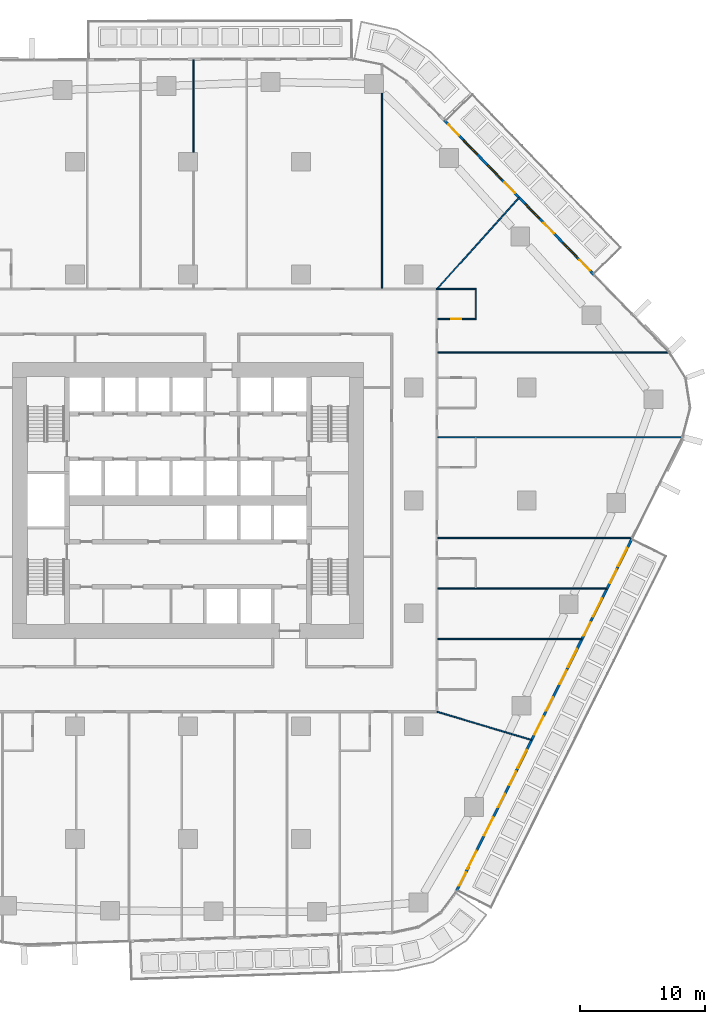
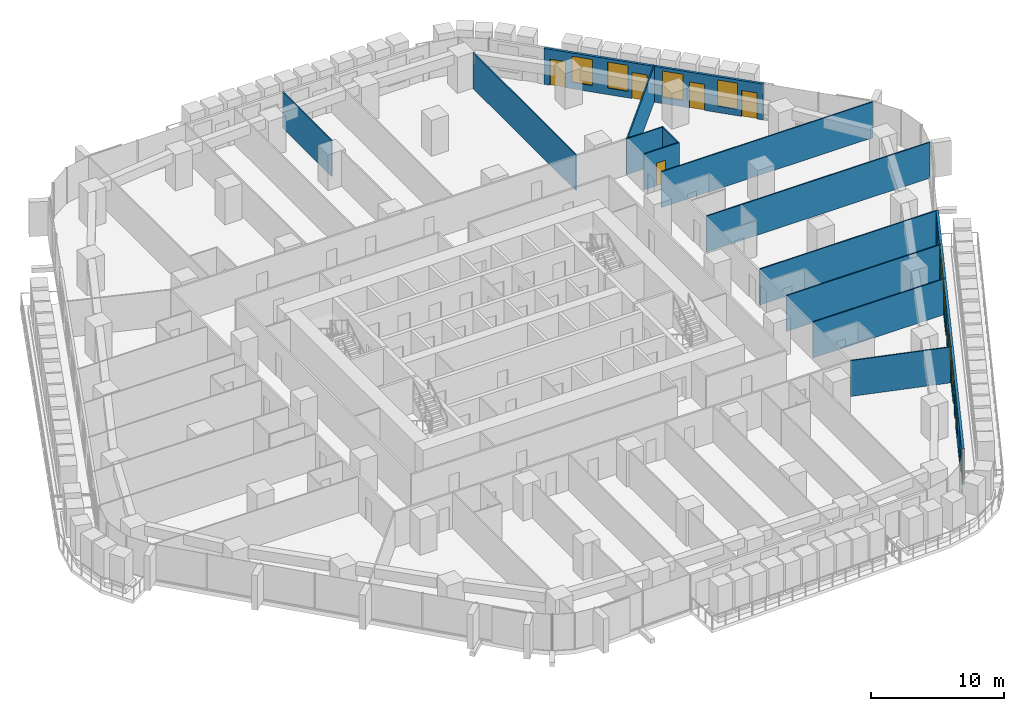
# One storey, part 18 of 27: 14 walls, 12 doors, 11 windows, 23 openings.
"""IFC4 building model written with IfcOpenShell, lengths in metres."""

from ifc_helpers import new_model, si_unit, direction, frame, frame_2d, origin, place, context, subcontext, project, spatial, rectangle, extrude, material, layer, layer_set, type_object, element, fill, save


model = new_model("IFC4")

# Units and contexts
model_context = context("Model", 3, precision=1e-05, world=origin(), true_north=direction((0.0, 1.0)))
body_context = subcontext(model_context, "Body", "Model", "MODEL_VIEW")
ifc_project = project(units=[si_unit("LENGTHUNIT", "METRE"), si_unit("AREAUNIT", "SQUARE_METRE"), si_unit("VOLUMEUNIT", "CUBIC_METRE"), si_unit("PLANEANGLEUNIT", "RADIAN"), si_unit("MASSUNIT", "GRAM", prefix="KILO")], contexts=[model_context])

# Site, building, storey
site_placement = place(None, origin())
site = spatial("IfcSite", under=ifc_project, at=site_placement, CompositionType="ELEMENT")
building_placement = place(site_placement, origin())
building = spatial("IfcBuilding", under=site, at=building_placement, Name="Dongbaek Canopy Tower", CompositionType="ELEMENT")
storey_placement = place(building_placement, frame((0.0, 0.0, 58.800048828125)))
storey = spatial("IfcBuildingStorey", under=building, at=storey_placement, Name="L10", CompositionType="ELEMENT", Elevation=58.800048828125)

# Walls
ifc_material_1 = material(Name="Gypsum board partition, steel stud, 2 x 12.5 mm board", Category="steel")
ifc_layer_1 = layer(ifc_material_1, 0.10009765625)
ifc_layer_set_1 = layer_set([ifc_layer_1], Name="Partition 100 gypsum board")
wall_type_1 = type_object("IfcWallType", Name="Partition 100 gypsum board", PredefinedType="PARTITIONING", material=ifc_layer_set_1)
wall_1_placement = place(storey_placement, frame((19.925048828125, -11.054931640625, 0.0), z_axis=(0.0, 0.0, 1.0), x_axis=(1.0, 0.0, 0.0)))
element("IfcWall", 1, at=wall_1_placement, inside=storey, type_object=wall_type_1, Name="Partition", PredefinedType="PARTITIONING", context=body_context, shape_type="SweptSolid", body=[
    extrude(rectangle(XDim=11.460205078125, YDim=0.10009765625, at=frame_2d((5.72998046875, 0.0))), origin(), (0.0, 0.0, 1.0), 3.300048828125),
])
wall_2_placement = place(storey_placement, frame((19.925048828125, -7.030029296875, 0.0), z_axis=(0.0, 0.0, 1.0), x_axis=(1.0, 0.0, 0.0)))
element("IfcWall", 2, at=wall_2_placement, inside=storey, type_object=wall_type_1, Name="Partition", PredefinedType="PARTITIONING", context=body_context, shape_type="SweptSolid", body=[
    extrude(rectangle(XDim=13.463623046875, YDim=0.10009765625, at=frame_2d((6.73193359375, 0.0))), origin(), (0.0, 0.0, 1.0), 3.300048828125),
])
wall_3_placement = place(storey_placement, frame((19.925048828125, -3.006103515625, 0.0), z_axis=(0.0, 0.0, 1.0), x_axis=(1.0, 0.0, 0.0)))
element("IfcWall", 3, at=wall_3_placement, inside=storey, type_object=wall_type_1, Name="Partition", PredefinedType="PARTITIONING", context=body_context, shape_type="SweptSolid", body=[
    extrude(rectangle(XDim=15.467041015625, YDim=0.10009765625, at=frame_2d((7.7333984375, 0.0))), origin(), (0.0, 0.0, 1.0), 3.300048828125),
])
wall_4_placement = place(storey_placement, frame((19.925048828125, 5.034912109375, 0.0), z_axis=(0.0, 0.0, 1.0), x_axis=(1.0, 0.0, 0.0)))
element("IfcWall", 4, at=wall_4_placement, inside=storey, type_object=wall_type_1, Name="Partition", PredefinedType="PARTITIONING", context=body_context, shape_type="SweptSolid", body=[
    extrude(rectangle(XDim=19.47021484375, YDim=0.10009765625, at=frame_2d((9.735107421875, 0.0))), origin(), (0.0, 0.0, 1.0), 3.300048828125),
])
wall_5_placement = place(storey_placement, frame((19.925048828125, 11.787109375, 0.0), z_axis=(0.0, 0.0, 1.0), x_axis=(1.0, 0.0, 0.0)))
element("IfcWall", 5, at=wall_5_placement, inside=storey, type_object=wall_type_1, Name="Partition", PredefinedType="PARTITIONING", context=body_context, shape_type="SweptSolid", body=[
    extrude(rectangle(XDim=18.416748046875, YDim=0.10009765625, at=frame_2d((9.20849609375, 0.0))), origin(), (0.0, 0.0, 1.0), 3.300048828125),
])

# Wall, opening, door
wall_6_placement = place(storey_placement, frame((19.925048828125, 14.449951171875, 0.0), z_axis=(0.0, 0.0, 1.0), x_axis=(1.0, 0.0, 0.0)))
wall_6 = element("IfcWall", 6, at=wall_6_placement, inside=storey, type_object=wall_type_1, Name="Partition", PredefinedType="PARTITIONING", context=body_context, shape_type="SweptSolid", body=[
    extrude(rectangle(XDim=3.074951171875, YDim=0.10009765625, at=frame_2d((1.53759765625, 0.0))), origin(), (0.0, 0.0, 1.0), 3.300048828125),
])
opening_1_placement = place(wall_6_placement, frame((1.074951171875, 0.0, 0.0)))
opening_1 = element("IfcOpeningElement", 7, at=opening_1_placement, cuts=wall_6, Name="Opening L10-D023", PredefinedType="OPENING", context=body_context, shape_type="SweptSolid", body=[
    extrude(rectangle(XDim=0.800048828125, YDim=2.10009765625, at=frame_2d((0.39990234375, 1.050048828125))), frame((0.0, 0.06005859375, 0.0), z_axis=(0.0, -1.0, 0.0), x_axis=(1.0, 0.0, 0.0)), (0.0, 0.0, 1.0), 0.1201171875),
])
ifc_material_2 = material(Name="Timber veneered door leaf", Category="wood")
door_type_1 = type_object("IfcDoorType", Name="En-suite door 800 x 2100", OperationType="SINGLE_SWING_LEFT", PredefinedType="DOOR", material=ifc_material_2)
door_1_placement = place(opening_1_placement, origin())
door_1 = element("IfcDoor", 8, at=door_1_placement, inside=storey, type_object=door_type_1, Name="Door L10-D023", OperationType="SINGLE_SWING_RIGHT", OverallHeight=2.10009765625, OverallWidth=0.800048828125, PredefinedType="DOOR", context=body_context, shape_type="SweptSolid", body=[
    extrude(rectangle(XDim=0.800048828125, YDim=2.10009765625, at=frame_2d((0.39990234375, 1.050048828125))), frame((0.0, 0.02490234375, 0.0), z_axis=(0.0, -1.0, 0.0), x_axis=(1.0, 0.0, 0.0)), (0.0, 0.0, 1.0), 0.050048828125),
])
fill(opening_1, door_1)

# Walls
wall_7_placement = place(storey_placement, frame((19.77490234375, 16.85009765625, 0.0), z_axis=(0.0, 0.0, 1.0), x_axis=(1.0, 0.0, 0.0)))
element("IfcWall", 9, at=wall_7_placement, inside=storey, type_object=wall_type_1, Name="Partition", PredefinedType="PARTITIONING", context=body_context, shape_type="SweptSolid", body=[
    extrude(rectangle(XDim=3.22509765625, YDim=0.10009765625, at=frame_2d((1.612548828125, 0.0))), origin(), (0.0, 0.0, 1.0), 3.300048828125),
])
wall_8_placement = place(storey_placement, frame((19.849853515625, 16.85009765625, 0.0), z_axis=(0.0, 0.0, 1.0), x_axis=(0.668734291705, 0.743501477536, 0.0)))
element("IfcWall", 10, at=wall_8_placement, inside=storey, type_object=wall_type_1, Name="Partition", PredefinedType="PARTITIONING", context=body_context, shape_type="SweptSolid", body=[
    extrude(rectangle(XDim=9.7763671875, YDim=0.10009765625, at=frame_2d((4.88818359375, 0.0))), origin(), (0.0, 0.0, 1.0), 3.300048828125),
])
wall_9_placement = place(storey_placement, frame((22.949951171875, 14.5, 0.0), z_axis=(0.0, 0.0, 1.0), x_axis=(0.0, 1.0, 0.0)))
element("IfcWall", 11, at=wall_9_placement, inside=storey, type_object=wall_type_1, Name="Partition", PredefinedType="PARTITIONING", context=body_context, shape_type="SweptSolid", body=[
    extrude(rectangle(XDim=2.300048828125, YDim=0.10009765625, at=frame_2d((1.14990234375, 0.0))), origin(), (0.0, 0.0, 1.0), 3.300048828125),
])
wall_10_placement = place(storey_placement, frame((15.47509765625, 16.925048828125, 0.0), z_axis=(0.0, 0.0, 1.0), x_axis=(0.0, 1.0, 0.0)))
element("IfcWall", 12, at=wall_10_placement, inside=storey, type_object=wall_type_1, Name="Partition", PredefinedType="PARTITIONING", context=body_context, shape_type="SweptSolid", body=[
    extrude(rectangle(XDim=15.51904296875, YDim=0.10009765625, at=frame_2d((7.759521484375, 0.0))), origin(), (0.0, 0.0, 1.0), 3.300048828125),
])
wall_11_placement = place(storey_placement, frame((0.450927734375, 27.75, 0.0), z_axis=(0.0, 0.0, 1.0), x_axis=(0.0, 1.0, 0.0)))
element("IfcWall", 13, at=wall_11_placement, inside=storey, type_object=wall_type_1, Name="Partition", PredefinedType="PARTITIONING", context=body_context, shape_type="SweptSolid", body=[
    extrude(rectangle(XDim=7.388671875, YDim=0.10009765625, at=frame_2d((3.6943359375, 0.0))), origin(), (0.0, 0.0, 1.0), 3.300048828125),
])
wall_12_placement = place(storey_placement, frame((19.849853515625, -16.850341796875, 0.0), z_axis=(0.0, 0.0, 1.0), x_axis=(0.958273131703, -0.285854167464, 0.0)))
element("IfcWall", 14, at=wall_12_placement, inside=storey, type_object=wall_type_1, Name="Partition", PredefinedType="PARTITIONING", context=body_context, shape_type="SweptSolid", body=[
    extrude(rectangle(XDim=7.859130859375, YDim=0.10009765625, at=frame_2d((3.9296875, 0.0))), origin(), (0.0, 0.0, 1.0), 3.300048828125),
])

# Wall, openings, doors, windows
ifc_material_3 = material(Name="Aluminium window wall", Category="aluminium")
ifc_layer_2 = layer(ifc_material_3, 0.199951171875)
ifc_layer_set_2 = layer_set([ifc_layer_2], Name="Window wall 200")
wall_type_2 = type_object("IfcWallType", Name="Window wall 200", PredefinedType="SOLIDWALL", material=ifc_layer_set_2)
wall_13_placement = place(storey_placement, frame((32.388916015625, 17.95703125, 0.0), z_axis=(0.0, 0.0, 1.0), x_axis=(-0.696038792441, 0.718004177855, 0.0)))
wall_13 = element("IfcWall", 15, at=wall_13_placement, inside=storey, type_object=wall_type_2, Name="Window wall L10 1", PredefinedType="SOLIDWALL", context=body_context, shape_type="SweptSolid", body=[
    extrude(rectangle(XDim=17.205810546875, YDim=0.199951171875, at=frame_2d((8.60302734375, 0.0))), origin(), (0.0, 0.0, 1.0), 3.300048828125),
])
opening_2_placement = place(wall_13_placement, frame((2.0, 0.0, 0.60009765625)))
opening_2 = element("IfcOpeningElement", 16, at=opening_2_placement, cuts=wall_13, Name="Opening W1", PredefinedType="OPENING", context=body_context, shape_type="SweptSolid", body=[
    extrude(rectangle(XDim=1.60009765625, YDim=2.39990234375, at=frame_2d((0.800048828125, 1.199951171875))), frame((0.0, 0.10986328125, 0.0), z_axis=(0.0, -1.0, 0.0), x_axis=(1.0, 0.0, 0.0)), (0.0, 0.0, 1.0), 0.219970703125),
])
opening_3_placement = place(wall_13_placement, frame((0.5, 0.0, 0.0)))
opening_3 = element("IfcOpeningElement", 17, at=opening_3_placement, cuts=wall_13, Name="Opening L10-B01", PredefinedType="OPENING", context=body_context, shape_type="SweptSolid", body=[
    extrude(rectangle(XDim=1.199951171875, YDim=2.39990234375, at=frame_2d((0.60009765625, 1.199951171875))), frame((0.0, 0.10986328125, 0.0), z_axis=(0.0, -1.0, 0.0), x_axis=(1.0, 0.0, 0.0)), (0.0, 0.0, 1.0), 0.219970703125),
])
opening_4_placement = place(wall_13_placement, frame((6.301513671875, 0.0, 0.60009765625)))
opening_4 = element("IfcOpeningElement", 18, at=opening_4_placement, cuts=wall_13, Name="Opening W1", PredefinedType="OPENING", context=body_context, shape_type="SweptSolid", body=[
    extrude(rectangle(XDim=1.60009765625, YDim=2.39990234375, at=frame_2d((0.800048828125, 1.199951171875))), frame((0.0, 0.10986328125, 0.0), z_axis=(0.0, -1.0, 0.0), x_axis=(1.0, 0.0, 0.0)), (0.0, 0.0, 1.0), 0.219970703125),
])
opening_5_placement = place(wall_13_placement, frame((4.601318359375, 0.0, 0.0)))
opening_5 = element("IfcOpeningElement", 19, at=opening_5_placement, cuts=wall_13, Name="Opening L10-B02", PredefinedType="OPENING", context=body_context, shape_type="SweptSolid", body=[
    extrude(rectangle(XDim=1.199951171875, YDim=2.39990234375, at=frame_2d((0.60009765625, 1.199951171875))), frame((0.0, 0.10986328125, 0.0), z_axis=(0.0, -1.0, 0.0), x_axis=(1.0, 0.0, 0.0)), (0.0, 0.0, 1.0), 0.219970703125),
])
opening_6_placement = place(wall_13_placement, frame((10.602783203125, 0.0, 0.60009765625)))
opening_6 = element("IfcOpeningElement", 20, at=opening_6_placement, cuts=wall_13, Name="Opening W1", PredefinedType="OPENING", context=body_context, shape_type="SweptSolid", body=[
    extrude(rectangle(XDim=1.60009765625, YDim=2.39990234375, at=frame_2d((0.800048828125, 1.199951171875))), frame((0.0, 0.10986328125, 0.0), z_axis=(0.0, -1.0, 0.0), x_axis=(1.0, 0.0, 0.0)), (0.0, 0.0, 1.0), 0.219970703125),
])
opening_7_placement = place(wall_13_placement, frame((9.102783203125, 0.0, 0.0)))
opening_7 = element("IfcOpeningElement", 21, at=opening_7_placement, cuts=wall_13, Name="Opening L10-B03", PredefinedType="OPENING", context=body_context, shape_type="SweptSolid", body=[
    extrude(rectangle(XDim=1.199951171875, YDim=2.39990234375, at=frame_2d((0.60009765625, 1.199951171875))), frame((0.0, 0.10986328125, 0.0), z_axis=(0.0, -1.0, 0.0), x_axis=(1.0, 0.0, 0.0)), (0.0, 0.0, 1.0), 0.219970703125),
])
opening_8_placement = place(wall_13_placement, frame((13.404296875, 0.0, 0.60009765625)))
opening_8 = element("IfcOpeningElement", 22, at=opening_8_placement, cuts=wall_13, Name="Opening W1", PredefinedType="OPENING", context=body_context, shape_type="SweptSolid", body=[
    extrude(rectangle(XDim=1.60009765625, YDim=2.39990234375, at=frame_2d((0.800048828125, 1.199951171875))), frame((0.0, 0.10986328125, 0.0), z_axis=(0.0, -1.0, 0.0), x_axis=(1.0, 0.0, 0.0)), (0.0, 0.0, 1.0), 0.219970703125),
])
opening_9_placement = place(wall_13_placement, frame((15.50439453125, 0.0, 0.0)))
opening_9 = element("IfcOpeningElement", 23, at=opening_9_placement, cuts=wall_13, Name="Opening L10-B04", PredefinedType="OPENING", context=body_context, shape_type="SweptSolid", body=[
    extrude(rectangle(XDim=1.199951171875, YDim=2.39990234375, at=frame_2d((0.60009765625, 1.199951171875))), frame((0.0, 0.10986328125, 0.0), z_axis=(0.0, -1.0, 0.0), x_axis=(1.0, 0.0, 0.0)), (0.0, 0.0, 1.0), 0.219970703125),
])
ifc_material_4 = material(Name="Clear glazing in aluminium frame", Category="aluminium")
door_type_2 = type_object("IfcDoorType", Name="Balcony door BD1 1200 x 2400", OperationType="SLIDING_TO_LEFT", PredefinedType="DOOR", material=ifc_material_4)
door_2_placement = place(opening_3_placement, origin())
door_2 = element("IfcDoor", 24, at=door_2_placement, inside=storey, type_object=door_type_2, Name="Balcony door L10-B01", OperationType="SLIDING_TO_LEFT", OverallHeight=2.39990234375, OverallWidth=1.199951171875, PredefinedType="DOOR", context=body_context, shape_type="SweptSolid", body=[
    extrude(rectangle(XDim=1.199951171875, YDim=2.39990234375, at=frame_2d((0.60009765625, 1.199951171875))), frame((0.0, 0.02490234375, 0.0), z_axis=(0.0, -1.0, 0.0), x_axis=(1.0, 0.0, 0.0)), (0.0, 0.0, 1.0), 0.050048828125),
])
fill(opening_3, door_2)
door_3_placement = place(opening_5_placement, origin())
door_3 = element("IfcDoor", 25, at=door_3_placement, inside=storey, type_object=door_type_2, Name="Balcony door L10-B02", OperationType="SLIDING_TO_LEFT", OverallHeight=2.39990234375, OverallWidth=1.199951171875, PredefinedType="DOOR", context=body_context, shape_type="SweptSolid", body=[
    extrude(rectangle(XDim=1.199951171875, YDim=2.39990234375, at=frame_2d((0.60009765625, 1.199951171875))), frame((0.0, 0.02490234375, 0.0), z_axis=(0.0, -1.0, 0.0), x_axis=(1.0, 0.0, 0.0)), (0.0, 0.0, 1.0), 0.050048828125),
])
fill(opening_5, door_3)
door_4_placement = place(opening_7_placement, origin())
door_4 = element("IfcDoor", 26, at=door_4_placement, inside=storey, type_object=door_type_2, Name="Balcony door L10-B03", OperationType="SLIDING_TO_LEFT", OverallHeight=2.39990234375, OverallWidth=1.199951171875, PredefinedType="DOOR", context=body_context, shape_type="SweptSolid", body=[
    extrude(rectangle(XDim=1.199951171875, YDim=2.39990234375, at=frame_2d((0.60009765625, 1.199951171875))), frame((0.0, 0.02490234375, 0.0), z_axis=(0.0, -1.0, 0.0), x_axis=(1.0, 0.0, 0.0)), (0.0, 0.0, 1.0), 0.050048828125),
])
fill(opening_7, door_4)
door_5_placement = place(opening_9_placement, origin())
door_5 = element("IfcDoor", 27, at=door_5_placement, inside=storey, type_object=door_type_2, Name="Balcony door L10-B04", OperationType="SLIDING_TO_LEFT", OverallHeight=2.39990234375, OverallWidth=1.199951171875, PredefinedType="DOOR", context=body_context, shape_type="SweptSolid", body=[
    extrude(rectangle(XDim=1.199951171875, YDim=2.39990234375, at=frame_2d((0.60009765625, 1.199951171875))), frame((0.0, 0.02490234375, 0.0), z_axis=(0.0, -1.0, 0.0), x_axis=(1.0, 0.0, 0.0)), (0.0, 0.0, 1.0), 0.050048828125),
])
fill(opening_9, door_5)
ifc_material_5 = material(Name="Clear glazing in aluminium frame", Category="aluminium")
window_type = type_object("IfcWindowType", Name="Window W1 1600 x 2400", PartitioningType="SINGLE_PANEL", PredefinedType="WINDOW", material=ifc_material_5)
window_1_placement = place(opening_2_placement, origin())
window_1 = element("IfcWindow", 28, at=window_1_placement, inside=storey, type_object=window_type, Name="Window L10 1.1", OverallHeight=2.39990234375, OverallWidth=1.60009765625, PartitioningType="SINGLE_PANEL", PredefinedType="WINDOW", context=body_context, shape_type="SweptSolid", body=[
    extrude(rectangle(XDim=1.60009765625, YDim=2.39990234375, at=frame_2d((0.800048828125, 1.199951171875))), frame((0.0, 0.030029296875, 0.0), z_axis=(0.0, -1.0, 0.0), x_axis=(1.0, 0.0, 0.0)), (0.0, 0.0, 1.0), 0.06005859375),
])
fill(opening_2, window_1)
window_2_placement = place(opening_4_placement, origin())
window_2 = element("IfcWindow", 29, at=window_2_placement, inside=storey, type_object=window_type, Name="Window L10 1.2", OverallHeight=2.39990234375, OverallWidth=1.60009765625, PartitioningType="SINGLE_PANEL", PredefinedType="WINDOW", context=body_context, shape_type="SweptSolid", body=[
    extrude(rectangle(XDim=1.60009765625, YDim=2.39990234375, at=frame_2d((0.800048828125, 1.199951171875))), frame((0.0, 0.030029296875, 0.0), z_axis=(0.0, -1.0, 0.0), x_axis=(1.0, 0.0, 0.0)), (0.0, 0.0, 1.0), 0.06005859375),
])
fill(opening_4, window_2)
window_3_placement = place(opening_6_placement, origin())
window_3 = element("IfcWindow", 30, at=window_3_placement, inside=storey, type_object=window_type, Name="Window L10 1.3", OverallHeight=2.39990234375, OverallWidth=1.60009765625, PartitioningType="SINGLE_PANEL", PredefinedType="WINDOW", context=body_context, shape_type="SweptSolid", body=[
    extrude(rectangle(XDim=1.60009765625, YDim=2.39990234375, at=frame_2d((0.800048828125, 1.199951171875))), frame((0.0, 0.030029296875, 0.0), z_axis=(0.0, -1.0, 0.0), x_axis=(1.0, 0.0, 0.0)), (0.0, 0.0, 1.0), 0.06005859375),
])
fill(opening_6, window_3)
window_4_placement = place(opening_8_placement, origin())
window_4 = element("IfcWindow", 31, at=window_4_placement, inside=storey, type_object=window_type, Name="Window L10 1.4", OverallHeight=2.39990234375, OverallWidth=1.60009765625, PartitioningType="SINGLE_PANEL", PredefinedType="WINDOW", context=body_context, shape_type="SweptSolid", body=[
    extrude(rectangle(XDim=1.60009765625, YDim=2.39990234375, at=frame_2d((0.800048828125, 1.199951171875))), frame((0.0, 0.030029296875, 0.0), z_axis=(0.0, -1.0, 0.0), x_axis=(1.0, 0.0, 0.0)), (0.0, 0.0, 1.0), 0.06005859375),
])
fill(opening_8, window_4)

wall_14_placement = place(storey_placement, frame((21.390625, -31.1748046875, 0.0), z_axis=(0.0, 0.0, 1.0), x_axis=(0.445673586032, 0.895195539932, 0.0)))
wall_14 = element("IfcWall", 32, at=wall_14_placement, inside=storey, type_object=wall_type_2, Name="Window wall L10 5", PredefinedType="SOLIDWALL", context=body_context, shape_type="SweptSolid", body=[
    extrude(rectangle(XDim=31.46630859375, YDim=0.199951171875, at=frame_2d((15.733154296875, 0.0))), origin(), (0.0, 0.0, 1.0), 3.300048828125),
])
opening_10_placement = place(wall_14_placement, frame((2.0, 0.0, 0.60009765625)))
opening_10 = element("IfcOpeningElement", 33, at=opening_10_placement, cuts=wall_14, Name="Opening W1", PredefinedType="OPENING", context=body_context, shape_type="SweptSolid", body=[
    extrude(rectangle(XDim=1.60009765625, YDim=2.39990234375, at=frame_2d((0.800048828125, 1.199951171875))), frame((0.0, 0.10986328125, 0.0), z_axis=(0.0, -1.0, 0.0), x_axis=(1.0, 0.0, 0.0)), (0.0, 0.0, 1.0), 0.219970703125),
])
opening_11_placement = place(wall_14_placement, frame((0.5, 0.0, 0.0)))
opening_11 = element("IfcOpeningElement", 34, at=opening_11_placement, cuts=wall_14, Name="Opening L10-B23", PredefinedType="OPENING", context=body_context, shape_type="SweptSolid", body=[
    extrude(rectangle(XDim=1.199951171875, YDim=2.39990234375, at=frame_2d((0.60009765625, 1.199951171875))), frame((0.0, 0.10986328125, 0.0), z_axis=(0.0, -1.0, 0.0), x_axis=(1.0, 0.0, 0.0)), (0.0, 0.0, 1.0), 0.219970703125),
])
opening_12_placement = place(wall_14_placement, frame((4.9951171875, 0.0, 0.60009765625)))
opening_12 = element("IfcOpeningElement", 35, at=opening_12_placement, cuts=wall_14, Name="Opening W1", PredefinedType="OPENING", context=body_context, shape_type="SweptSolid", body=[
    extrude(rectangle(XDim=1.60009765625, YDim=2.39990234375, at=frame_2d((0.800048828125, 1.199951171875))), frame((0.0, 0.10986328125, 0.0), z_axis=(0.0, -1.0, 0.0), x_axis=(1.0, 0.0, 0.0)), (0.0, 0.0, 1.0), 0.219970703125),
])
opening_13_placement = place(wall_14_placement, frame((7.4951171875, 0.0, 0.0)))
opening_13 = element("IfcOpeningElement", 36, at=opening_13_placement, cuts=wall_14, Name="Opening L10-B24", PredefinedType="OPENING", context=body_context, shape_type="SweptSolid", body=[
    extrude(rectangle(XDim=1.199951171875, YDim=2.39990234375, at=frame_2d((0.60009765625, 1.199951171875))), frame((0.0, 0.10986328125, 0.0), z_axis=(0.0, -1.0, 0.0), x_axis=(1.0, 0.0, 0.0)), (0.0, 0.0, 1.0), 0.219970703125),
])
opening_14_placement = place(wall_14_placement, frame((10.990234375, 0.0, 0.60009765625)))
opening_14 = element("IfcOpeningElement", 37, at=opening_14_placement, cuts=wall_14, Name="Opening W1", PredefinedType="OPENING", context=body_context, shape_type="SweptSolid", body=[
    extrude(rectangle(XDim=1.60009765625, YDim=2.39990234375, at=frame_2d((0.800048828125, 1.199951171875))), frame((0.0, 0.10986328125, 0.0), z_axis=(0.0, -1.0, 0.0), x_axis=(1.0, 0.0, 0.0)), (0.0, 0.0, 1.0), 0.219970703125),
])
opening_15_placement = place(wall_14_placement, frame((9.490234375, 0.0, 0.0)))
opening_15 = element("IfcOpeningElement", 38, at=opening_15_placement, cuts=wall_14, Name="Opening L10-B25", PredefinedType="OPENING", context=body_context, shape_type="SweptSolid", body=[
    extrude(rectangle(XDim=1.199951171875, YDim=2.39990234375, at=frame_2d((0.60009765625, 1.199951171875))), frame((0.0, 0.10986328125, 0.0), z_axis=(0.0, -1.0, 0.0), x_axis=(1.0, 0.0, 0.0)), (0.0, 0.0, 1.0), 0.219970703125),
])
opening_16_placement = place(wall_14_placement, frame((13.985595703125, 0.0, 0.60009765625)))
opening_16 = element("IfcOpeningElement", 39, at=opening_16_placement, cuts=wall_14, Name="Opening W1", PredefinedType="OPENING", context=body_context, shape_type="SweptSolid", body=[
    extrude(rectangle(XDim=1.60009765625, YDim=2.39990234375, at=frame_2d((0.800048828125, 1.199951171875))), frame((0.0, 0.10986328125, 0.0), z_axis=(0.0, -1.0, 0.0), x_axis=(1.0, 0.0, 0.0)), (0.0, 0.0, 1.0), 0.219970703125),
])
opening_17_placement = place(wall_14_placement, frame((16.08544921875, 0.0, 0.0)))
opening_17 = element("IfcOpeningElement", 40, at=opening_17_placement, cuts=wall_14, Name="Opening L10-B26", PredefinedType="OPENING", context=body_context, shape_type="SweptSolid", body=[
    extrude(rectangle(XDim=1.199951171875, YDim=2.39990234375, at=frame_2d((0.60009765625, 1.199951171875))), frame((0.0, 0.10986328125, 0.0), z_axis=(0.0, -1.0, 0.0), x_axis=(1.0, 0.0, 0.0)), (0.0, 0.0, 1.0), 0.219970703125),
])
opening_18_placement = place(wall_14_placement, frame((19.980712890625, 0.0, 0.60009765625)))
opening_18 = element("IfcOpeningElement", 41, at=opening_18_placement, cuts=wall_14, Name="Opening W1", PredefinedType="OPENING", context=body_context, shape_type="SweptSolid", body=[
    extrude(rectangle(XDim=1.60009765625, YDim=2.39990234375, at=frame_2d((0.800048828125, 1.199951171875))), frame((0.0, 0.10986328125, 0.0), z_axis=(0.0, -1.0, 0.0), x_axis=(1.0, 0.0, 0.0)), (0.0, 0.0, 1.0), 0.219970703125),
])
opening_19_placement = place(wall_14_placement, frame((18.480712890625, 0.0, 0.0)))
opening_19 = element("IfcOpeningElement", 42, at=opening_19_placement, cuts=wall_14, Name="Opening L10-B27", PredefinedType="OPENING", context=body_context, shape_type="SweptSolid", body=[
    extrude(rectangle(XDim=1.199951171875, YDim=2.39990234375, at=frame_2d((0.60009765625, 1.199951171875))), frame((0.0, 0.10986328125, 0.0), z_axis=(0.0, -1.0, 0.0), x_axis=(1.0, 0.0, 0.0)), (0.0, 0.0, 1.0), 0.219970703125),
])
opening_20_placement = place(wall_14_placement, frame((24.475830078125, 0.0, 0.60009765625)))
opening_20 = element("IfcOpeningElement", 43, at=opening_20_placement, cuts=wall_14, Name="Opening W1", PredefinedType="OPENING", context=body_context, shape_type="SweptSolid", body=[
    extrude(rectangle(XDim=1.60009765625, YDim=2.39990234375, at=frame_2d((0.800048828125, 1.199951171875))), frame((0.0, 0.10986328125, 0.0), z_axis=(0.0, -1.0, 0.0), x_axis=(1.0, 0.0, 0.0)), (0.0, 0.0, 1.0), 0.219970703125),
])
opening_21_placement = place(wall_14_placement, frame((22.77587890625, 0.0, 0.0)))
opening_21 = element("IfcOpeningElement", 44, at=opening_21_placement, cuts=wall_14, Name="Opening L10-B28", PredefinedType="OPENING", context=body_context, shape_type="SweptSolid", body=[
    extrude(rectangle(XDim=1.199951171875, YDim=2.39990234375, at=frame_2d((0.60009765625, 1.199951171875))), frame((0.0, 0.10986328125, 0.0), z_axis=(0.0, -1.0, 0.0), x_axis=(1.0, 0.0, 0.0)), (0.0, 0.0, 1.0), 0.219970703125),
])
opening_22_placement = place(wall_14_placement, frame((28.970947265625, 0.0, 0.60009765625)))
opening_22 = element("IfcOpeningElement", 45, at=opening_22_placement, cuts=wall_14, Name="Opening W1", PredefinedType="OPENING", context=body_context, shape_type="SweptSolid", body=[
    extrude(rectangle(XDim=1.60009765625, YDim=2.39990234375, at=frame_2d((0.800048828125, 1.199951171875))), frame((0.0, 0.10986328125, 0.0), z_axis=(0.0, -1.0, 0.0), x_axis=(1.0, 0.0, 0.0)), (0.0, 0.0, 1.0), 0.219970703125),
])
opening_23_placement = place(wall_14_placement, frame((27.470947265625, 0.0, 0.0)))
opening_23 = element("IfcOpeningElement", 46, at=opening_23_placement, cuts=wall_14, Name="Opening L10-B29", PredefinedType="OPENING", context=body_context, shape_type="SweptSolid", body=[
    extrude(rectangle(XDim=1.199951171875, YDim=2.39990234375, at=frame_2d((0.60009765625, 1.199951171875))), frame((0.0, 0.10986328125, 0.0), z_axis=(0.0, -1.0, 0.0), x_axis=(1.0, 0.0, 0.0)), (0.0, 0.0, 1.0), 0.219970703125),
])
door_6_placement = place(opening_11_placement, origin())
door_6 = element("IfcDoor", 47, at=door_6_placement, inside=storey, type_object=door_type_2, Name="Balcony door L10-B23", OperationType="SLIDING_TO_LEFT", OverallHeight=2.39990234375, OverallWidth=1.199951171875, PredefinedType="DOOR", context=body_context, shape_type="SweptSolid", body=[
    extrude(rectangle(XDim=1.199951171875, YDim=2.39990234375, at=frame_2d((0.60009765625, 1.199951171875))), frame((0.0, 0.02490234375, 0.0), z_axis=(0.0, -1.0, 0.0), x_axis=(1.0, 0.0, 0.0)), (0.0, 0.0, 1.0), 0.050048828125),
])
fill(opening_11, door_6)
door_7_placement = place(opening_13_placement, origin())
door_7 = element("IfcDoor", 48, at=door_7_placement, inside=storey, type_object=door_type_2, Name="Balcony door L10-B24", OperationType="SLIDING_TO_LEFT", OverallHeight=2.39990234375, OverallWidth=1.199951171875, PredefinedType="DOOR", context=body_context, shape_type="SweptSolid", body=[
    extrude(rectangle(XDim=1.199951171875, YDim=2.39990234375, at=frame_2d((0.60009765625, 1.199951171875))), frame((0.0, 0.02490234375, 0.0), z_axis=(0.0, -1.0, 0.0), x_axis=(1.0, 0.0, 0.0)), (0.0, 0.0, 1.0), 0.050048828125),
])
fill(opening_13, door_7)
door_8_placement = place(opening_15_placement, origin())
door_8 = element("IfcDoor", 49, at=door_8_placement, inside=storey, type_object=door_type_2, Name="Balcony door L10-B25", OperationType="SLIDING_TO_LEFT", OverallHeight=2.39990234375, OverallWidth=1.199951171875, PredefinedType="DOOR", context=body_context, shape_type="SweptSolid", body=[
    extrude(rectangle(XDim=1.199951171875, YDim=2.39990234375, at=frame_2d((0.60009765625, 1.199951171875))), frame((0.0, 0.02490234375, 0.0), z_axis=(0.0, -1.0, 0.0), x_axis=(1.0, 0.0, 0.0)), (0.0, 0.0, 1.0), 0.050048828125),
])
fill(opening_15, door_8)
door_9_placement = place(opening_17_placement, origin())
door_9 = element("IfcDoor", 50, at=door_9_placement, inside=storey, type_object=door_type_2, Name="Balcony door L10-B26", OperationType="SLIDING_TO_LEFT", OverallHeight=2.39990234375, OverallWidth=1.199951171875, PredefinedType="DOOR", context=body_context, shape_type="SweptSolid", body=[
    extrude(rectangle(XDim=1.199951171875, YDim=2.39990234375, at=frame_2d((0.60009765625, 1.199951171875))), frame((0.0, 0.02490234375, 0.0), z_axis=(0.0, -1.0, 0.0), x_axis=(1.0, 0.0, 0.0)), (0.0, 0.0, 1.0), 0.050048828125),
])
fill(opening_17, door_9)
door_10_placement = place(opening_19_placement, origin())
door_10 = element("IfcDoor", 51, at=door_10_placement, inside=storey, type_object=door_type_2, Name="Balcony door L10-B27", OperationType="SLIDING_TO_LEFT", OverallHeight=2.39990234375, OverallWidth=1.199951171875, PredefinedType="DOOR", context=body_context, shape_type="SweptSolid", body=[
    extrude(rectangle(XDim=1.199951171875, YDim=2.39990234375, at=frame_2d((0.60009765625, 1.199951171875))), frame((0.0, 0.02490234375, 0.0), z_axis=(0.0, -1.0, 0.0), x_axis=(1.0, 0.0, 0.0)), (0.0, 0.0, 1.0), 0.050048828125),
])
fill(opening_19, door_10)
door_11_placement = place(opening_21_placement, origin())
door_11 = element("IfcDoor", 52, at=door_11_placement, inside=storey, type_object=door_type_2, Name="Balcony door L10-B28", OperationType="SLIDING_TO_LEFT", OverallHeight=2.39990234375, OverallWidth=1.199951171875, PredefinedType="DOOR", context=body_context, shape_type="SweptSolid", body=[
    extrude(rectangle(XDim=1.199951171875, YDim=2.39990234375, at=frame_2d((0.60009765625, 1.199951171875))), frame((0.0, 0.02490234375, 0.0), z_axis=(0.0, -1.0, 0.0), x_axis=(1.0, 0.0, 0.0)), (0.0, 0.0, 1.0), 0.050048828125),
])
fill(opening_21, door_11)
door_12_placement = place(opening_23_placement, origin())
door_12 = element("IfcDoor", 53, at=door_12_placement, inside=storey, type_object=door_type_2, Name="Balcony door L10-B29", OperationType="SLIDING_TO_LEFT", OverallHeight=2.39990234375, OverallWidth=1.199951171875, PredefinedType="DOOR", context=body_context, shape_type="SweptSolid", body=[
    extrude(rectangle(XDim=1.199951171875, YDim=2.39990234375, at=frame_2d((0.60009765625, 1.199951171875))), frame((0.0, 0.02490234375, 0.0), z_axis=(0.0, -1.0, 0.0), x_axis=(1.0, 0.0, 0.0)), (0.0, 0.0, 1.0), 0.050048828125),
])
fill(opening_23, door_12)
window_5_placement = place(opening_10_placement, origin())
window_5 = element("IfcWindow", 54, at=window_5_placement, inside=storey, type_object=window_type, Name="Window L10 5.1", OverallHeight=2.39990234375, OverallWidth=1.60009765625, PartitioningType="SINGLE_PANEL", PredefinedType="WINDOW", context=body_context, shape_type="SweptSolid", body=[
    extrude(rectangle(XDim=1.60009765625, YDim=2.39990234375, at=frame_2d((0.800048828125, 1.199951171875))), frame((0.0, 0.030029296875, 0.0), z_axis=(0.0, -1.0, 0.0), x_axis=(1.0, 0.0, 0.0)), (0.0, 0.0, 1.0), 0.06005859375),
])
fill(opening_10, window_5)
window_6_placement = place(opening_12_placement, origin())
window_6 = element("IfcWindow", 55, at=window_6_placement, inside=storey, type_object=window_type, Name="Window L10 5.2", OverallHeight=2.39990234375, OverallWidth=1.60009765625, PartitioningType="SINGLE_PANEL", PredefinedType="WINDOW", context=body_context, shape_type="SweptSolid", body=[
    extrude(rectangle(XDim=1.60009765625, YDim=2.39990234375, at=frame_2d((0.800048828125, 1.199951171875))), frame((0.0, 0.030029296875, 0.0), z_axis=(0.0, -1.0, 0.0), x_axis=(1.0, 0.0, 0.0)), (0.0, 0.0, 1.0), 0.06005859375),
])
fill(opening_12, window_6)
window_7_placement = place(opening_14_placement, origin())
window_7 = element("IfcWindow", 56, at=window_7_placement, inside=storey, type_object=window_type, Name="Window L10 5.3", OverallHeight=2.39990234375, OverallWidth=1.60009765625, PartitioningType="SINGLE_PANEL", PredefinedType="WINDOW", context=body_context, shape_type="SweptSolid", body=[
    extrude(rectangle(XDim=1.60009765625, YDim=2.39990234375, at=frame_2d((0.800048828125, 1.199951171875))), frame((0.0, 0.030029296875, 0.0), z_axis=(0.0, -1.0, 0.0), x_axis=(1.0, 0.0, 0.0)), (0.0, 0.0, 1.0), 0.06005859375),
])
fill(opening_14, window_7)
window_8_placement = place(opening_16_placement, origin())
window_8 = element("IfcWindow", 57, at=window_8_placement, inside=storey, type_object=window_type, Name="Window L10 5.4", OverallHeight=2.39990234375, OverallWidth=1.60009765625, PartitioningType="SINGLE_PANEL", PredefinedType="WINDOW", context=body_context, shape_type="SweptSolid", body=[
    extrude(rectangle(XDim=1.60009765625, YDim=2.39990234375, at=frame_2d((0.800048828125, 1.199951171875))), frame((0.0, 0.030029296875, 0.0), z_axis=(0.0, -1.0, 0.0), x_axis=(1.0, 0.0, 0.0)), (0.0, 0.0, 1.0), 0.06005859375),
])
fill(opening_16, window_8)
window_9_placement = place(opening_18_placement, origin())
window_9 = element("IfcWindow", 58, at=window_9_placement, inside=storey, type_object=window_type, Name="Window L10 5.5", OverallHeight=2.39990234375, OverallWidth=1.60009765625, PartitioningType="SINGLE_PANEL", PredefinedType="WINDOW", context=body_context, shape_type="SweptSolid", body=[
    extrude(rectangle(XDim=1.60009765625, YDim=2.39990234375, at=frame_2d((0.800048828125, 1.199951171875))), frame((0.0, 0.030029296875, 0.0), z_axis=(0.0, -1.0, 0.0), x_axis=(1.0, 0.0, 0.0)), (0.0, 0.0, 1.0), 0.06005859375),
])
fill(opening_18, window_9)
window_10_placement = place(opening_20_placement, origin())
window_10 = element("IfcWindow", 59, at=window_10_placement, inside=storey, type_object=window_type, Name="Window L10 5.6", OverallHeight=2.39990234375, OverallWidth=1.60009765625, PartitioningType="SINGLE_PANEL", PredefinedType="WINDOW", context=body_context, shape_type="SweptSolid", body=[
    extrude(rectangle(XDim=1.60009765625, YDim=2.39990234375, at=frame_2d((0.800048828125, 1.199951171875))), frame((0.0, 0.030029296875, 0.0), z_axis=(0.0, -1.0, 0.0), x_axis=(1.0, 0.0, 0.0)), (0.0, 0.0, 1.0), 0.06005859375),
])
fill(opening_20, window_10)
window_11_placement = place(opening_22_placement, origin())
window_11 = element("IfcWindow", 60, at=window_11_placement, inside=storey, type_object=window_type, Name="Window L10 5.7", OverallHeight=2.39990234375, OverallWidth=1.60009765625, PartitioningType="SINGLE_PANEL", PredefinedType="WINDOW", context=body_context, shape_type="SweptSolid", body=[
    extrude(rectangle(XDim=1.60009765625, YDim=2.39990234375, at=frame_2d((0.800048828125, 1.199951171875))), frame((0.0, 0.030029296875, 0.0), z_axis=(0.0, -1.0, 0.0), x_axis=(1.0, 0.0, 0.0)), (0.0, 0.0, 1.0), 0.06005859375),
])
fill(opening_22, window_11)

save(model, "model.ifc")
